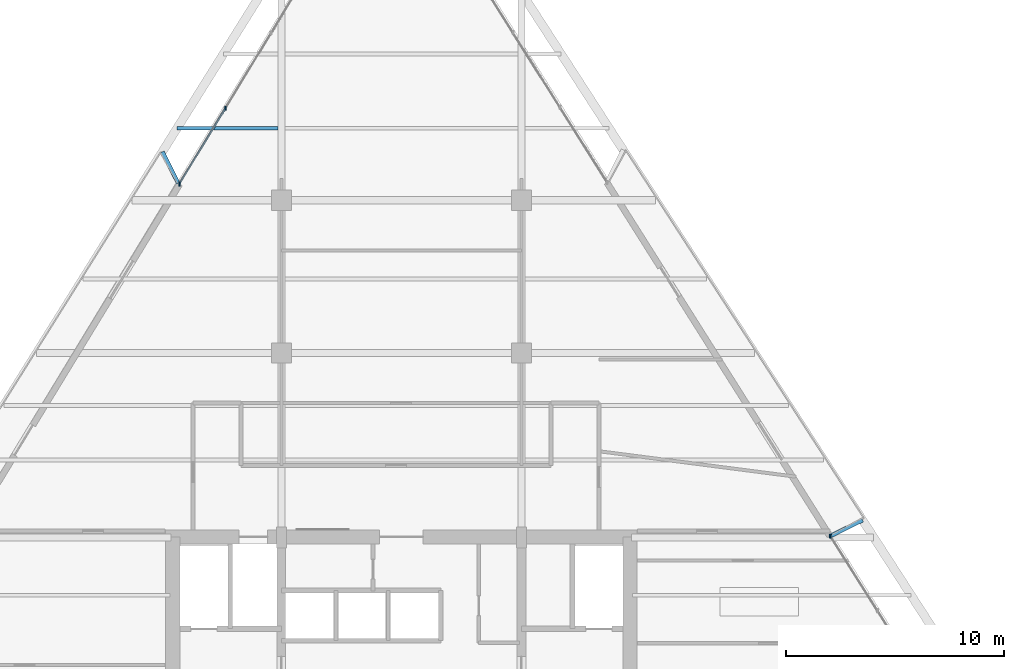
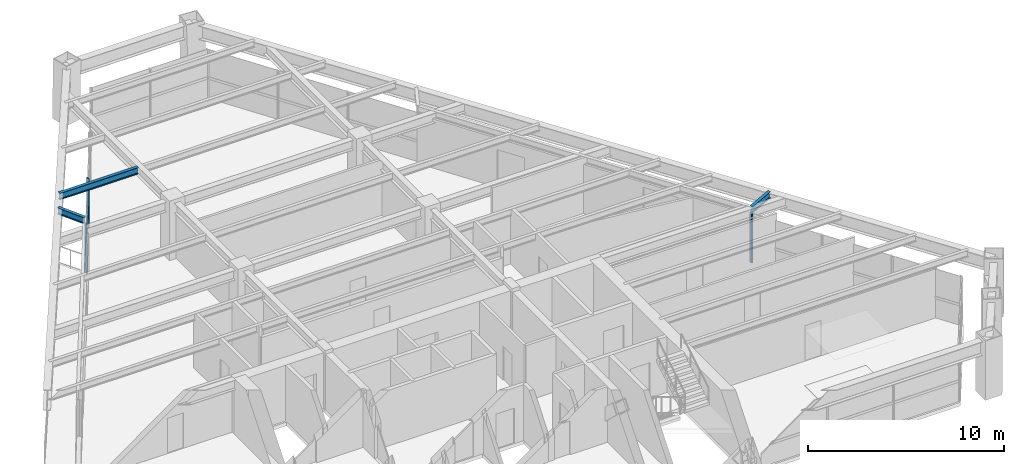
# One storey, part 6 of 13: 6 members, 3 beams, 2 elements without a shape of their own.
"""IFC4 building model written with IfcOpenShell, lengths in metres."""

from ifc_helpers import new_model, si_unit, direction, frame, origin, origin_2d, place, context, subcontext, project, spatial, rectangle, i_section, extrude, source, transform, mapped, material, material_profile, profile_set, type_object, element, aggregate, save


model = new_model("IFC4")

# Units and contexts
model_context = context("Model", 3, precision=1e-05, world=origin(), true_north=direction((0.0, 1.0)))
body_context = subcontext(model_context, "Body", "Model", "MODEL_VIEW")
ifc_project = project(units=[si_unit("LENGTHUNIT", "METRE"), si_unit("AREAUNIT", "SQUARE_METRE"), si_unit("VOLUMEUNIT", "CUBIC_METRE"), si_unit("PLANEANGLEUNIT", "RADIAN"), si_unit("MASSUNIT", "GRAM", prefix="KILO")], contexts=[model_context])

# Site, building, storey
site_placement = place(None, origin())
site = spatial("IfcSite", under=ifc_project, at=site_placement, CompositionType="ELEMENT")
building_placement = place(site_placement, origin())
building = spatial("IfcBuilding", under=site, at=building_placement, Name="Varnakhor Terracotta Tower", CompositionType="ELEMENT")
storey_placement = place(building_placement, frame((0.0, 0.0, 204.300048828125)))
storey = spatial("IfcBuildingStorey", under=building, at=storey_placement, Name="L52", CompositionType="ELEMENT", Elevation=204.300048828125)

# Beams
ifc_material_1 = material(Name="Steel S355", Category="steel")
ifc_material_profile_1 = material_profile(ifc_material_1, i_section(OverallWidth=0.179931640625, OverallDepth=0.4130859375, WebThickness=0.009765625, FlangeThickness=0.01611328125, FilletRadius=0.01806640625, at=origin_2d()), Name="W16X50")
ifc_profile_set_1 = profile_set([ifc_material_profile_1], Name="Steel S355")
beam_type_1 = type_object("IfcBeamType", Name="JST-W16X50", PredefinedType="JOIST", material=ifc_profile_set_1)
shared_shape_1 = source(origin(), body_context, "Body", "SweptSolid", [
    extrude(i_section(OverallWidth=0.179931640625, OverallDepth=0.4130859375, WebThickness=0.009765625, FlangeThickness=0.01611328125, FilletRadius=0.01806640625, at=origin_2d()), origin(), (0.0, 0.0, 1.0), 4.62158203125),
])
beam_1_placement = place(storey_placement, frame((-10.280029296875, 34.800048828125, 3.263427734375), z_axis=(1.0, 0.0, 0.0), x_axis=(0.0, 1.0, 0.0)))
element("IfcBeam", 1, at=beam_1_placement, inside=storey, type_object=beam_type_1, Name="L52 Composite Floor Joist 7-1", PredefinedType="JOIST", context=body_context, shape_type="MappedRepresentation", body=[
    mapped(shared_shape_1, transform((0.0, 0.0, 0.0), scale=1.0)),
])
ifc_material_profile_2 = material_profile(ifc_material_1, i_section(OverallWidth=0.179931640625, OverallDepth=0.39990234375, WebThickness=0.008544921875, FlangeThickness=0.013427734375, FilletRadius=0.01806640625, at=origin_2d()), Name="IPE400")
ifc_profile_set_2 = profile_set([ifc_material_profile_2], Name="Steel S355")
beam_type_2 = type_object("IfcBeamType", Name="JST-IPE400", PredefinedType="JOIST", material=ifc_profile_set_2)
shared_shape_2 = source(origin(), body_context, "Body", "SweptSolid", [
    extrude(i_section(OverallWidth=0.179931640625, OverallDepth=0.39990234375, WebThickness=0.008544921875, FlangeThickness=0.013427734375, FilletRadius=0.01806640625, at=origin_2d()), origin(), (0.0, 0.0, 1.0), 1.612548828125),
])
beam_2_placement = place(storey_placement, frame((-10.226806640625, 32.2822265625, 3.27001953125), z_axis=(-0.450843296788, 0.892603115467, 0.0), x_axis=(-0.892603115467, -0.450843296788, 0.0)))
element("IfcBeam", 2, at=beam_2_placement, inside=storey, type_object=beam_type_2, Name="L53 W Loggia Tie Beam 2", PredefinedType="JOIST", context=body_context, shape_type="MappedRepresentation", body=[
    mapped(shared_shape_2, transform((0.0, 0.0, 0.0), scale=1.0)),
])

# Curtain wall, members
ifc_material_2 = material(Name="Anodised Aluminium Curtain Wall System", Category="aluminium")
curtain_wall_type = type_object("IfcCurtainWallType", Name="CW-SYS-MID-OFFICE", PredefinedType="NOTDEFINED", material=ifc_material_2)
curtain_wall_1_placement = place(storey_placement, origin())
curtain_wall_1 = element("IfcCurtainWall", 3, at=curtain_wall_1_placement, inside=storey, type_object=curtain_wall_type, Name="L52 W Facet Curtain Wall 2", PredefinedType="NOTDEFINED")
ifc_material_3 = material(Name="Anodised Aluminium 6063-T6", Category="aluminium")
ifc_material_profile_3 = material_profile(ifc_material_3, rectangle(XDim=0.070068359375, YDim=0.175048828125, at=origin_2d()), Name="ALU MULLION 70x175")
ifc_profile_set_3 = profile_set([ifc_material_profile_3], Name="Anodised Aluminium 6063-T6")
member_type_1 = type_object("IfcMemberType", Name="CWM-03", PredefinedType="MULLION", material=ifc_profile_set_3)
shared_shape_3 = source(origin(), body_context, "Body", "SweptSolid", [
    extrude(rectangle(XDim=0.070068359375, YDim=0.175048828125, at=origin_2d()), origin(), (0.0, 0.0, 1.0), 3.050048828125),
])
member_1_placement = place(storey_placement, frame((-10.163330078125, 32.26953125, 0.0), z_axis=(0.0, 0.0, 1.0), x_axis=(1.0, 0.0, 0.0)))
member_1 = element("IfcMember", 4, at=member_1_placement, type_object=member_type_1, Name="L52 W Facet Curtain Wall 2 Mullion 1", PredefinedType="MULLION", context=body_context, shape_type="MappedRepresentation", body=[
    mapped(shared_shape_3, transform((0.0, 0.0, 0.0), scale=1.0)),
])
member_2_placement = place(storey_placement, frame((-8.064208984375, 35.71533203125, 0.0), z_axis=(0.0, 0.0, 1.0), x_axis=(1.0, 0.0, 0.0)))
member_2 = element("IfcMember", 5, at=member_2_placement, type_object=member_type_1, Name="L52 W Facet Curtain Wall 2 Mullion 2", PredefinedType="MULLION", context=body_context, shape_type="MappedRepresentation", body=[
    mapped(shared_shape_3, transform((0.0, 0.0, 0.0), scale=1.0)),
])
member_3_placement = place(storey_placement, frame((-10.161865234375, 32.233642578125, 0.0), z_axis=(0.0, 0.0, 1.0), x_axis=(1.0, 0.0, 0.0)))
member_3 = element("IfcMember", 6, at=member_3_placement, type_object=member_type_1, Name="L52 W Loggia Jamb Closure Mullion 2", PredefinedType="MULLION", context=body_context, shape_type="MappedRepresentation", body=[
    mapped(shared_shape_3, transform((0.0, 0.0, 0.0), scale=1.0)),
])

curtain_wall_2_placement = place(storey_placement, origin())
curtain_wall_2 = element("IfcCurtainWall", 7, at=curtain_wall_2_placement, inside=storey, type_object=curtain_wall_type, Name="L52 E Facet Curtain Wall 2", PredefinedType="NOTDEFINED")
member_4_placement = place(storey_placement, frame((19.663818359375, 16.104248046875, 0.0), z_axis=(0.0, 0.0, 1.0), x_axis=(1.0, 0.0, 0.0)))
member_4 = element("IfcMember", 8, at=member_4_placement, type_object=member_type_1, Name="L52 E Facet Curtain Wall 2 Mullion 1", PredefinedType="MULLION", context=body_context, shape_type="MappedRepresentation", body=[
    mapped(shared_shape_3, transform((0.0, 0.0, 0.0), scale=1.0)),
])
member_5_placement = place(storey_placement, frame((19.630859375, 16.118896484375, 0.0), z_axis=(0.0, 0.0, 1.0), x_axis=(1.0, 0.0, 0.0)))
member_5 = element("IfcMember", 9, at=member_5_placement, type_object=member_type_1, Name="L52 E Loggia Jamb Closure Mullion 2", PredefinedType="MULLION", context=body_context, shape_type="MappedRepresentation", body=[
    mapped(shared_shape_3, transform((0.0, 0.0, 0.0), scale=1.0)),
])
aggregate(curtain_wall_2, [member_4, member_5])

# Member
ifc_material_profile_4 = material_profile(ifc_material_3, rectangle(XDim=0.070068359375, YDim=0.155029296875, at=origin_2d()), Name="ALU TRANSOM 70x155")
ifc_profile_set_4 = profile_set([ifc_material_profile_4], Name="Anodised Aluminium 6063-T6")
member_type_2 = type_object("IfcMemberType", Name="CWT-03", PredefinedType="USERDEFINED", material=ifc_profile_set_4)
shared_shape_4 = source(origin(), body_context, "Body", "SweptSolid", [
    extrude(rectangle(XDim=0.070068359375, YDim=0.155029296875, at=origin_2d()), origin(), (0.0, 0.0, 1.0), 4.034912109375),
])
member_6_placement = place(storey_placement, frame((-10.163330078125, 32.26953125, 1.281005859375), z_axis=(0.520250206667, 0.854013888917, 0.0), x_axis=(-0.854013888917, 0.520250206667, 0.0)))
member_6 = element("IfcMember", 10, at=member_6_placement, type_object=member_type_2, Name="L52 W Facet Curtain Wall 2 Transom 1", ObjectType="TRANSOM", PredefinedType="USERDEFINED", context=body_context, shape_type="MappedRepresentation", body=[
    mapped(shared_shape_4, transform((0.0, 0.0, 0.0), scale=1.0)),
])

aggregate(curtain_wall_1, [member_1, member_6, member_2, member_3])

# Beam
shared_shape_5 = source(origin(), body_context, "Body", "SweptSolid", [
    extrude(i_section(OverallWidth=0.179931640625, OverallDepth=0.39990234375, WebThickness=0.008544921875, FlangeThickness=0.013427734375, FilletRadius=0.01806640625, at=origin_2d()), origin(), (0.0, 0.0, 1.0), 1.63134765625),
])
beam_3_placement = place(storey_placement, frame((19.668701171875, 16.12158203125, 3.27001953125), z_axis=(0.897724646999, 0.440556986292, 0.0), x_axis=(-0.440556986292, 0.897724646999, 0.0)))
element("IfcBeam", 11, at=beam_3_placement, inside=storey, type_object=beam_type_2, Name="L53 E Loggia Tie Beam 2", PredefinedType="JOIST", context=body_context, shape_type="MappedRepresentation", body=[
    mapped(shared_shape_5, transform((0.0, 0.0, 0.0), scale=1.0)),
])

save(model, "model.ifc")
